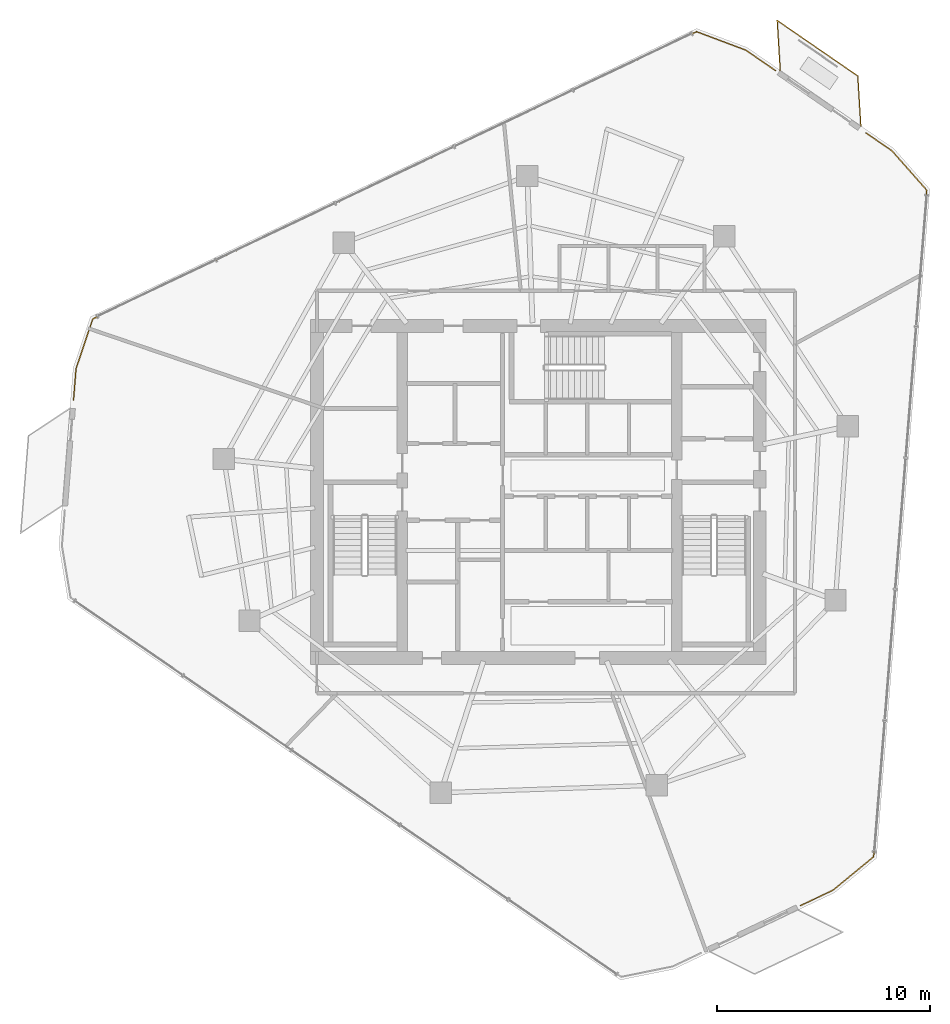
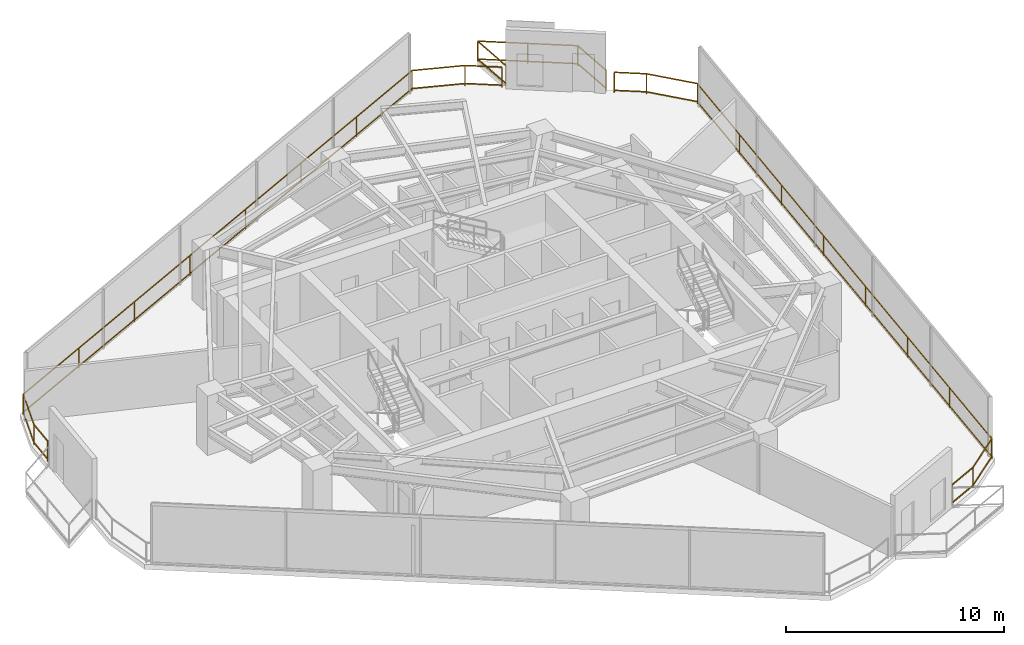
# One storey, part 21 of 21: 4 railings.
"""IFC4 building model written with IfcOpenShell, lengths in metres."""

from ifc_helpers import new_model, si_unit, direction, frame, origin, origin_2d, place, context, subcontext, project, spatial, rectangle, extrude, material, type_object, element, save


model = new_model("IFC4")

# Units and contexts
model_context = context("Model", 3, precision=1e-05, world=origin(), true_north=direction((0.0, 1.0)))
body_context = subcontext(model_context, "Body", "Model", "MODEL_VIEW")
ifc_project = project(units=[si_unit("LENGTHUNIT", "METRE"), si_unit("AREAUNIT", "SQUARE_METRE"), si_unit("VOLUMEUNIT", "CUBIC_METRE"), si_unit("PLANEANGLEUNIT", "RADIAN"), si_unit("MASSUNIT", "GRAM", prefix="KILO")], contexts=[model_context])

# Site, building, storey
site_placement = place(None, origin())
site = spatial("IfcSite", under=ifc_project, at=site_placement, CompositionType="ELEMENT")
building_placement = place(site_placement, origin())
building = spatial("IfcBuilding", under=site, at=building_placement, Name="Qarnah Convention Tower", CompositionType="ELEMENT")
storey_placement = place(building_placement, frame((0.0, 0.0, 161.699951171875)))
storey = spatial("IfcBuildingStorey", under=building, at=storey_placement, Name="L43", CompositionType="ELEMENT", Elevation=161.699951171875)

# Railings
ifc_material = material(Name="Black anodised aluminium", Category="aluminium")
railing_type = type_object("IfcRailingType", Name="RL-EXT-GUARD-1150", PredefinedType="GUARDRAIL", material=ifc_material)
railing_1_placement = place(storey_placement, frame((46.94189453125, 47.154052734375, 0.0)))
element("IfcRailing", 1, at=railing_1_placement, inside=storey, type_object=railing_type, Name="L43 slab-edge perimeter safety guard 01", PredefinedType="GUARDRAIL", context=body_context, shape_type="SweptSolid", body=[
    extrude(rectangle(XDim=0.048095703125, YDim=0.048095703125, at=origin_2d()), frame((0.0, 0.0, 1.1259765625), z_axis=(0.823377518695, -0.567494019094, 0.0), x_axis=(0.567494019094, 0.823377518695, 0.0)), (0.0, 0.0, 1.0), 1.695556640625),
    extrude(rectangle(XDim=0.048095703125, YDim=0.048095703125, at=origin_2d()), frame((0.0, 0.0, 0.1201171875), z_axis=(0.823377518695, -0.567494019094, 0.0), x_axis=(0.567494019094, 0.823377518695, 0.0)), (0.0, 0.0, 1.0), 1.695556640625),
    extrude(rectangle(XDim=0.0419921875, YDim=0.0419921875, at=origin_2d()), origin(), (0.0, 0.0, 1.0), 1.101806640625),
    extrude(rectangle(XDim=0.0419921875, YDim=0.0419921875, at=origin_2d()), frame((1.39599609375, -0.962158203125, 0.0)), (0.0, 0.0, 1.0), 1.101806640625),
])
railing_2_placement = place(storey_placement, frame((52.5859375, 43.26611328125, 0.0)))
element("IfcRailing", 2, at=railing_2_placement, inside=storey, type_object=railing_type, Name="L43 slab-edge perimeter safety guard 02", PredefinedType="GUARDRAIL", context=body_context, shape_type="SweptSolid", body=[
    extrude(rectangle(XDim=0.048095703125, YDim=0.048095703125, at=origin_2d()), frame((0.0, 0.0, 1.1259765625), z_axis=(0.823379613782, -0.567490979319, 0.0), x_axis=(0.567490979319, 0.823379613782, 0.0)), (0.0, 0.0, 1.0), 1.485595703125),
    extrude(rectangle(XDim=0.048095703125, YDim=0.048095703125, at=origin_2d()), frame((0.0, 0.0, 0.1201171875), z_axis=(0.823379613782, -0.567490979319, 0.0), x_axis=(0.567490979319, 0.823379613782, 0.0)), (0.0, 0.0, 1.0), 1.485595703125),
    extrude(rectangle(XDim=0.048095703125, YDim=0.048095703125, at=origin_2d()), frame((1.22314453125, -0.843017578125, 1.1259765625), z_axis=(0.662296066495, -0.749242230727, 0.0), x_axis=(0.749242230727, 0.662296066495, 0.0)), (0.0, 0.0, 1.0), 2.46533203125),
    extrude(rectangle(XDim=0.048095703125, YDim=0.048095703125, at=origin_2d()), frame((1.22314453125, -0.843017578125, 0.1201171875), z_axis=(0.662296066495, -0.749242230727, 0.0), x_axis=(0.749242230727, 0.662296066495, 0.0)), (0.0, 0.0, 1.0), 2.46533203125),
    extrude(rectangle(XDim=0.048095703125, YDim=0.048095703125, at=origin_2d()), frame((2.85595703125, -2.690185546875, 1.1259765625), z_axis=(-0.07952925938, -0.996832532025, 0.0), x_axis=(0.996832532025, -0.07952925938, 0.0)), (0.0, 0.0, 1.0), 31.4072265625),
    extrude(rectangle(XDim=0.048095703125, YDim=0.048095703125, at=origin_2d()), frame((2.85595703125, -2.690185546875, 0.1201171875), z_axis=(-0.07952925938, -0.996832532025, 0.0), x_axis=(0.996832532025, -0.07952925938, 0.0)), (0.0, 0.0, 1.0), 31.4072265625),
    extrude(rectangle(XDim=0.048095703125, YDim=0.048095703125, at=origin_2d()), frame((0.358154296875, -33.998046875, 1.1259765625), z_axis=(-0.772304563283, -0.635252439218, 0.0), x_axis=(0.635252439218, -0.772304563283, 0.0)), (0.0, 0.0, 1.0), 2.46533203125),
    extrude(rectangle(XDim=0.048095703125, YDim=0.048095703125, at=origin_2d()), frame((0.358154296875, -33.998046875, 0.1201171875), z_axis=(-0.772304563283, -0.635252439218, 0.0), x_axis=(0.635252439218, -0.772304563283, 0.0)), (0.0, 0.0, 1.0), 2.46533203125),
    extrude(rectangle(XDim=0.048095703125, YDim=0.048095703125, at=origin_2d()), frame((-1.5458984375, -35.564208984375, 1.1259765625), z_axis=(-0.903150483218, -0.429324125414, 0.0), x_axis=(0.429324125414, -0.903150483218, 0.0)), (0.0, 0.0, 1.0), 1.695068359375),
    extrude(rectangle(XDim=0.048095703125, YDim=0.048095703125, at=origin_2d()), frame((-1.5458984375, -35.564208984375, 0.1201171875), z_axis=(-0.903150483218, -0.429324125414, 0.0), x_axis=(0.429324125414, -0.903150483218, 0.0)), (0.0, 0.0, 1.0), 1.695068359375),
    extrude(rectangle(XDim=0.0419921875, YDim=0.0419921875, at=origin_2d()), origin(), (0.0, 0.0, 1.0), 1.101806640625),
    extrude(rectangle(XDim=0.0419921875, YDim=0.0419921875, at=origin_2d()), frame((1.22314453125, -0.843017578125, 0.0)), (0.0, 0.0, 1.0), 1.101806640625),
    extrude(rectangle(XDim=0.0419921875, YDim=0.0419921875, at=origin_2d()), frame((2.85595703125, -2.690185546875, 0.0)), (0.0, 0.0, 1.0), 1.101806640625),
    extrude(rectangle(XDim=0.0419921875, YDim=0.0419921875, at=origin_2d()), frame((2.4990234375, -7.162841796875, 0.0)), (0.0, 0.0, 1.0), 1.101806640625),
    extrude(rectangle(XDim=0.0419921875, YDim=0.0419921875, at=origin_2d()), frame((2.142333984375, -11.63525390625, 0.0)), (0.0, 0.0, 1.0), 1.101806640625),
    extrude(rectangle(XDim=0.0419921875, YDim=0.0419921875, at=origin_2d()), frame((1.785400390625, -16.10791015625, 0.0)), (0.0, 0.0, 1.0), 1.101806640625),
    extrude(rectangle(XDim=0.0419921875, YDim=0.0419921875, at=origin_2d()), frame((1.4287109375, -20.580322265625, 0.0)), (0.0, 0.0, 1.0), 1.101806640625),
    extrude(rectangle(XDim=0.0419921875, YDim=0.0419921875, at=origin_2d()), frame((1.07177734375, -25.052978515625, 0.0)), (0.0, 0.0, 1.0), 1.101806640625),
    extrude(rectangle(XDim=0.0419921875, YDim=0.0419921875, at=origin_2d()), frame((0.715087890625, -29.525390625, 0.0)), (0.0, 0.0, 1.0), 1.101806640625),
    extrude(rectangle(XDim=0.0419921875, YDim=0.0419921875, at=origin_2d()), frame((0.358154296875, -33.998046875, 0.0)), (0.0, 0.0, 1.0), 1.101806640625),
    extrude(rectangle(XDim=0.0419921875, YDim=0.0419921875, at=origin_2d()), frame((-1.5458984375, -35.564208984375, 0.0)), (0.0, 0.0, 1.0), 1.101806640625),
    extrude(rectangle(XDim=0.0419921875, YDim=0.0419921875, at=origin_2d()), frame((-3.076904296875, -36.2919921875, 0.0)), (0.0, 0.0, 1.0), 1.101806640625),
])
railing_3_placement = place(storey_placement, frame((15.368896484375, 30.7119140625, 0.0)))
element("IfcRailing", 3, at=railing_3_placement, inside=storey, type_object=railing_type, Name="L43 slab-edge perimeter safety guard 04", PredefinedType="GUARDRAIL", context=body_context, shape_type="SweptSolid", body=[
    extrude(rectangle(XDim=0.048095703125, YDim=0.048095703125, at=origin_2d()), frame((0.0, 0.0, 1.1259765625), z_axis=(0.079588363965, 0.996827814781, 0.0), x_axis=(-0.996827814781, 0.079588363965, 0.0)), (0.0, 0.0, 1.0), 1.484619140625),
    extrude(rectangle(XDim=0.048095703125, YDim=0.048095703125, at=origin_2d()), frame((0.0, 0.0, 0.1201171875), z_axis=(0.079588363965, 0.996827814781, 0.0), x_axis=(-0.996827814781, 0.079588363965, 0.0)), (0.0, 0.0, 1.0), 1.484619140625),
    extrude(rectangle(XDim=0.048095703125, YDim=0.048095703125, at=origin_2d()), frame((0.1181640625, 1.47998046875, 1.1259765625), z_axis=(0.318365905823, 0.94796790558, 0.0), x_axis=(-0.94796790558, 0.318365905823, 0.0)), (0.0, 0.0, 1.0), 2.46533203125),
    extrude(rectangle(XDim=0.048095703125, YDim=0.048095703125, at=origin_2d()), frame((0.1181640625, 1.47998046875, 0.1201171875), z_axis=(0.318365905823, 0.94796790558, 0.0), x_axis=(-0.94796790558, 0.318365905823, 0.0)), (0.0, 0.0, 1.0), 2.46533203125),
    extrude(rectangle(XDim=0.048095703125, YDim=0.048095703125, at=origin_2d()), frame((0.903076171875, 3.817138671875, 1.1259765625), z_axis=(0.903037324443, 0.429562091742, 0.0), x_axis=(-0.429562091742, 0.903037324443, 0.0)), (0.0, 0.0, 1.0), 31.40625),
    extrude(rectangle(XDim=0.048095703125, YDim=0.048095703125, at=origin_2d()), frame((0.903076171875, 3.817138671875, 0.1201171875), z_axis=(0.903037324443, 0.429562091742, 0.0), x_axis=(-0.429562091742, 0.903037324443, 0.0)), (0.0, 0.0, 1.0), 31.40625),
    extrude(rectangle(XDim=0.048095703125, YDim=0.048095703125, at=origin_2d()), frame((29.26416015625, 17.30810546875, 1.1259765625), z_axis=(0.936308832101, -0.351177691389, 0.0), x_axis=(0.351177691389, 0.936308832101, 0.0)), (0.0, 0.0, 1.0), 2.4658203125),
    extrude(rectangle(XDim=0.048095703125, YDim=0.048095703125, at=origin_2d()), frame((29.26416015625, 17.30810546875, 0.1201171875), z_axis=(0.936308832101, -0.351177691389, 0.0), x_axis=(0.351177691389, 0.936308832101, 0.0)), (0.0, 0.0, 1.0), 2.4658203125),
    extrude(rectangle(XDim=0.0419921875, YDim=0.0419921875, at=origin_2d()), origin(), (0.0, 0.0, 1.0), 1.101806640625),
    extrude(rectangle(XDim=0.0419921875, YDim=0.0419921875, at=origin_2d()), frame((0.1181640625, 1.47998046875, 0.0)), (0.0, 0.0, 1.0), 1.101806640625),
    extrude(rectangle(XDim=0.0419921875, YDim=0.0419921875, at=origin_2d()), frame((0.903076171875, 3.817138671875, 0.0)), (0.0, 0.0, 1.0), 1.101806640625),
    extrude(rectangle(XDim=0.0419921875, YDim=0.0419921875, at=origin_2d()), frame((4.95458984375, 5.744384765625, 0.0)), (0.0, 0.0, 1.0), 1.101806640625),
    extrude(rectangle(XDim=0.0419921875, YDim=0.0419921875, at=origin_2d()), frame((9.00634765625, 7.671630859375, 0.0)), (0.0, 0.0, 1.0), 1.101806640625),
    extrude(rectangle(XDim=0.0419921875, YDim=0.0419921875, at=origin_2d()), frame((13.057861328125, 9.598876953125, 0.0)), (0.0, 0.0, 1.0), 1.101806640625),
    extrude(rectangle(XDim=0.0419921875, YDim=0.0419921875, at=origin_2d()), frame((17.109375, 11.5263671875, 0.0)), (0.0, 0.0, 1.0), 1.101806640625),
    extrude(rectangle(XDim=0.0419921875, YDim=0.0419921875, at=origin_2d()), frame((21.160888671875, 13.45361328125, 0.0)), (0.0, 0.0, 1.0), 1.101806640625),
    extrude(rectangle(XDim=0.0419921875, YDim=0.0419921875, at=origin_2d()), frame((25.212646484375, 15.380859375, 0.0)), (0.0, 0.0, 1.0), 1.101806640625),
    extrude(rectangle(XDim=0.0419921875, YDim=0.0419921875, at=origin_2d()), frame((29.26416015625, 17.30810546875, 0.0)), (0.0, 0.0, 1.0), 1.101806640625),
    extrude(rectangle(XDim=0.0419921875, YDim=0.0419921875, at=origin_2d()), frame((31.572998046875, 16.442138671875, 0.0)), (0.0, 0.0, 1.0), 1.101806640625),
])
railing_4_placement = place(storey_placement, frame((48.55810546875, 46.205078125, 0.0)))
element("IfcRailing", 4, at=railing_4_placement, inside=storey, type_object=railing_type, Name="L43 balcony safety guard BAL-L43-C1", PredefinedType="GUARDRAIL", context=body_context, shape_type="SweptSolid", body=[
    extrude(rectangle(XDim=0.048095703125, YDim=0.048095703125, at=origin_2d()), frame((0.0, 0.0, 1.1259765625), z_axis=(-0.060118219302, 0.998191264091, 0.0), x_axis=(-0.998191264091, -0.060118219302, 0.0)), (0.0, 0.0, 1.0), 2.34716796875),
    extrude(rectangle(XDim=0.048095703125, YDim=0.048095703125, at=origin_2d()), frame((0.0, 0.0, 0.1201171875), z_axis=(-0.060118219302, 0.998191264091, 0.0), x_axis=(-0.998191264091, -0.060118219302, 0.0)), (0.0, 0.0, 1.0), 2.34716796875),
    extrude(rectangle(XDim=0.048095703125, YDim=0.048095703125, at=origin_2d()), frame((-0.14111328125, 2.343017578125, 1.1259765625), z_axis=(0.823552232716, -0.567240442836, 0.0), x_axis=(0.567240442836, 0.823552232716, 0.0)), (0.0, 0.0, 1.0), 4.599609375),
    extrude(rectangle(XDim=0.048095703125, YDim=0.048095703125, at=origin_2d()), frame((-0.14111328125, 2.343017578125, 0.1201171875), z_axis=(0.823552232716, -0.567240442836, 0.0), x_axis=(0.567240442836, 0.823552232716, 0.0)), (0.0, 0.0, 1.0), 4.599609375),
    extrude(rectangle(XDim=0.048095703125, YDim=0.048095703125, at=origin_2d()), frame((3.64697265625, -0.26611328125, 1.1259765625), z_axis=(0.060014583487, -0.998197500382, 0.0), x_axis=(0.998197500382, 0.060014583487, 0.0)), (0.0, 0.0, 1.0), 2.34716796875),
    extrude(rectangle(XDim=0.048095703125, YDim=0.048095703125, at=origin_2d()), frame((3.64697265625, -0.26611328125, 0.1201171875), z_axis=(0.060014583487, -0.998197500382, 0.0), x_axis=(0.998197500382, 0.060014583487, 0.0)), (0.0, 0.0, 1.0), 2.34716796875),
    extrude(rectangle(XDim=0.0419921875, YDim=0.0419921875, at=origin_2d()), origin(), (0.0, 0.0, 1.0), 1.101806640625),
    extrude(rectangle(XDim=0.0419921875, YDim=0.0419921875, at=origin_2d()), frame((-0.14111328125, 2.343017578125, 0.0)), (0.0, 0.0, 1.0), 1.101806640625),
    extrude(rectangle(XDim=0.0419921875, YDim=0.0419921875, at=origin_2d()), frame((1.7529296875, 1.03857421875, 0.0)), (0.0, 0.0, 1.0), 1.101806640625),
    extrude(rectangle(XDim=0.0419921875, YDim=0.0419921875, at=origin_2d()), frame((3.64697265625, -0.26611328125, 0.0)), (0.0, 0.0, 1.0), 1.101806640625),
    extrude(rectangle(XDim=0.0419921875, YDim=0.0419921875, at=origin_2d()), frame((3.787841796875, -2.609130859375, 0.0)), (0.0, 0.0, 1.0), 1.101806640625),
])

save(model, "model.ifc")
